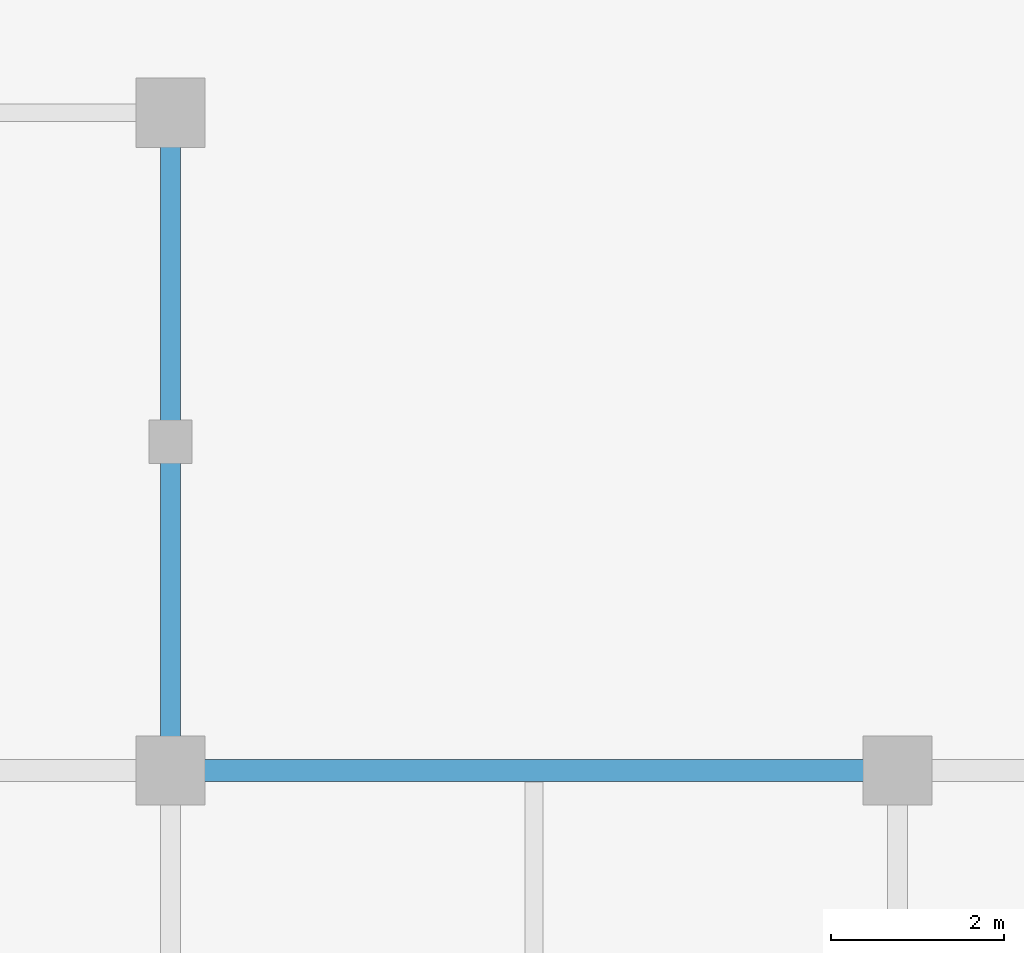
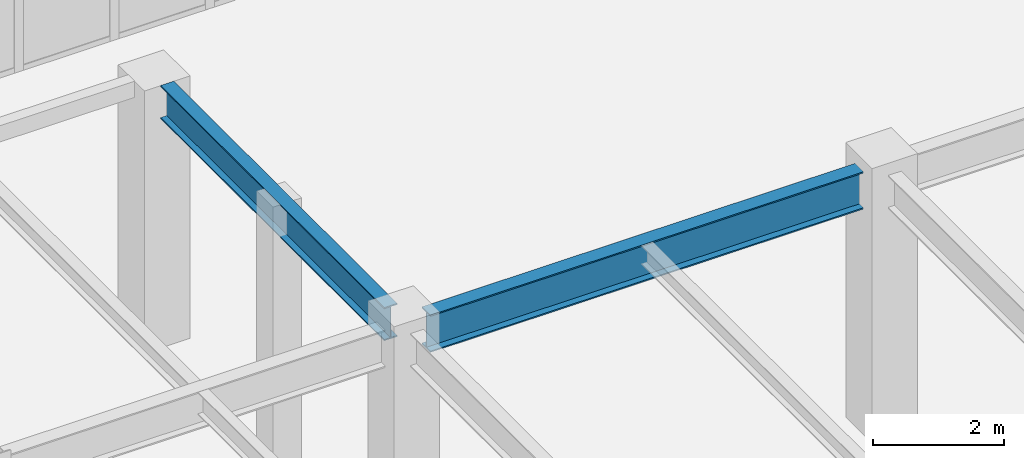
# One storey, part 54 of 128: 2 beams.
"""IFC4 building model written with IfcOpenShell, lengths in metres."""

from ifc_helpers import new_model, si_unit, direction, frame, origin, origin_2d, place, context, subcontext, project, spatial, i_section, extrude, material, material_profile, profile_set, type_object, element, save


model = new_model("IFC4")

# Units and contexts
model_context = context("Model", 3, precision=1e-05, world=origin(), true_north=direction((0.0, 1.0)))
body_context = subcontext(model_context, "Body", "Model", "MODEL_VIEW")
ifc_project = project(units=[si_unit("LENGTHUNIT", "METRE"), si_unit("AREAUNIT", "SQUARE_METRE"), si_unit("VOLUMEUNIT", "CUBIC_METRE"), si_unit("PLANEANGLEUNIT", "RADIAN"), si_unit("MASSUNIT", "GRAM", prefix="KILO")], contexts=[model_context])

# Site, building, storey
site_placement = place(None, origin())
site = spatial("IfcSite", under=ifc_project, at=site_placement, CompositionType="ELEMENT")
building_placement = place(site_placement, origin())
building = spatial("IfcBuilding", under=site, at=building_placement, Name="Xicomal Pleat Aquarium", CompositionType="ELEMENT")
storey_placement = place(building_placement, frame((0.0, 0.0, 5.39990234375)))
storey = spatial("IfcBuildingStorey", under=building, at=storey_placement, Name="L02", CompositionType="ELEMENT", Elevation=5.39990234375)

# Beams
ifc_material_1 = material(Name="Structural steel A992 Gr 50", Category="steel")
ifc_material_profile_1 = material_profile(ifc_material_1, i_section(OverallWidth=0.22998046875, OverallDepth=0.616943359375, WebThickness=0.01318359375, FlangeThickness=0.022216796875, at=origin_2d()), Name="IR 610x140")
ifc_profile_set_1 = profile_set([ifc_material_profile_1], Name="Structural steel A992 Gr 50")
beam_type_1 = type_object("IfcBeamType", Name="BM-STL-IR610", PredefinedType="BEAM", material=ifc_profile_set_1)
beam_1_placement = place(storey_placement, frame((10.199951171875, 83.9951171875, 4.566650390625), z_axis=(0.0, 1.0, 0.0), x_axis=(-1.0, 0.0, 0.0)))
element("IfcBeam", 1, at=beam_1_placement, inside=storey, type_object=beam_type_1, Name="L02 framing beam FGY-L02-02-M-N", PredefinedType="BEAM", context=body_context, shape_type="SweptSolid", body=[
    extrude(i_section(OverallWidth=0.22998046875, OverallDepth=0.616943359375, WebThickness=0.01318359375, FlangeThickness=0.022216796875, at=origin_2d()), origin(), (0.0, 0.0, 1.0), 6.809814453125),
])
ifc_material_2 = material(Name="Structural steel A992 Gr 50", Category="steel")
ifc_material_profile_2 = material_profile(ifc_material_2, i_section(OverallWidth=0.256103515625, OverallDepth=0.693115234375, WebThickness=0.014404296875, FlangeThickness=0.023681640625, at=origin_2d()), Name="IR 690x170")
ifc_profile_set_2 = profile_set([ifc_material_profile_2], Name="Structural steel A992 Gr 50")
beam_type_2 = type_object("IfcBeamType", Name="BM-STL-IR690", PredefinedType="BEAM", material=ifc_profile_set_2)
beam_2_placement = place(storey_placement, frame((10.594970703125, 83.60009765625, 4.528564453125), z_axis=(1.0, 0.0, 0.0), x_axis=(0.0, 1.0, 0.0)))
element("IfcBeam", 2, at=beam_2_placement, inside=storey, type_object=beam_type_2, Name="L02 framing beam FGX-L02-02-03-M", PredefinedType="BEAM", context=body_context, shape_type="SweptSolid", body=[
    extrude(i_section(OverallWidth=0.256103515625, OverallDepth=0.693115234375, WebThickness=0.014404296875, FlangeThickness=0.023681640625, at=origin_2d()), origin(), (0.0, 0.0, 1.0), 7.610107421875),
])

save(model, "model.ifc")
